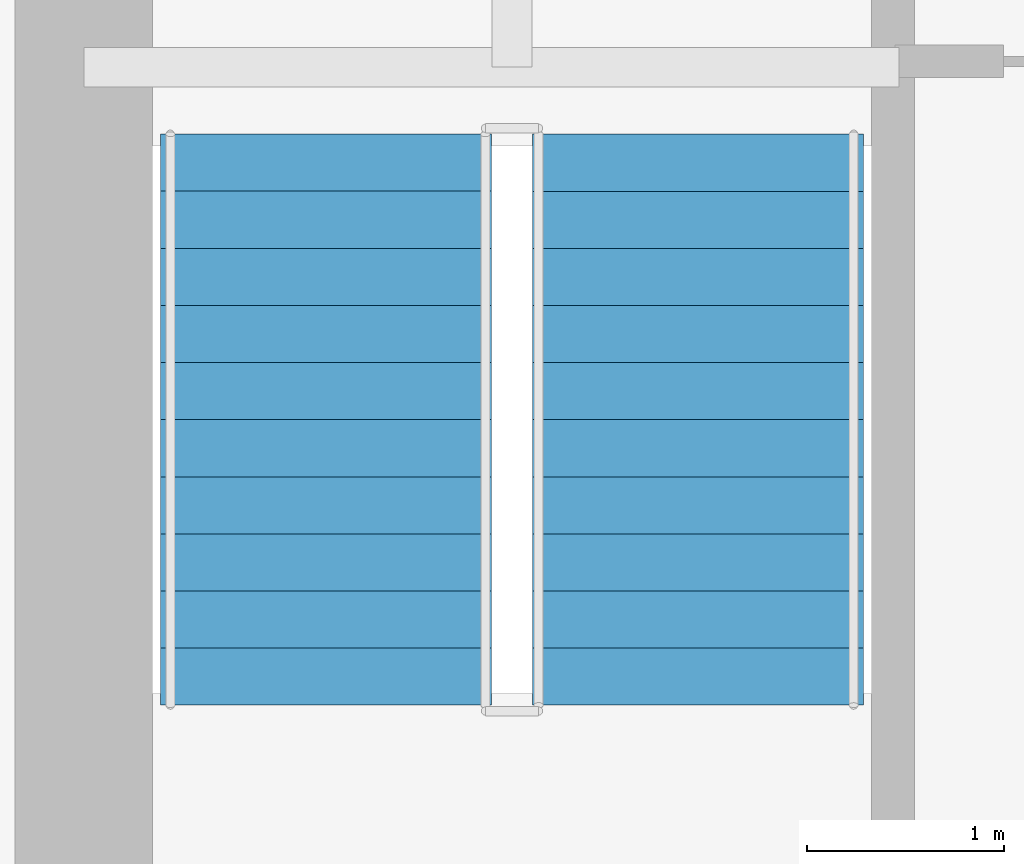
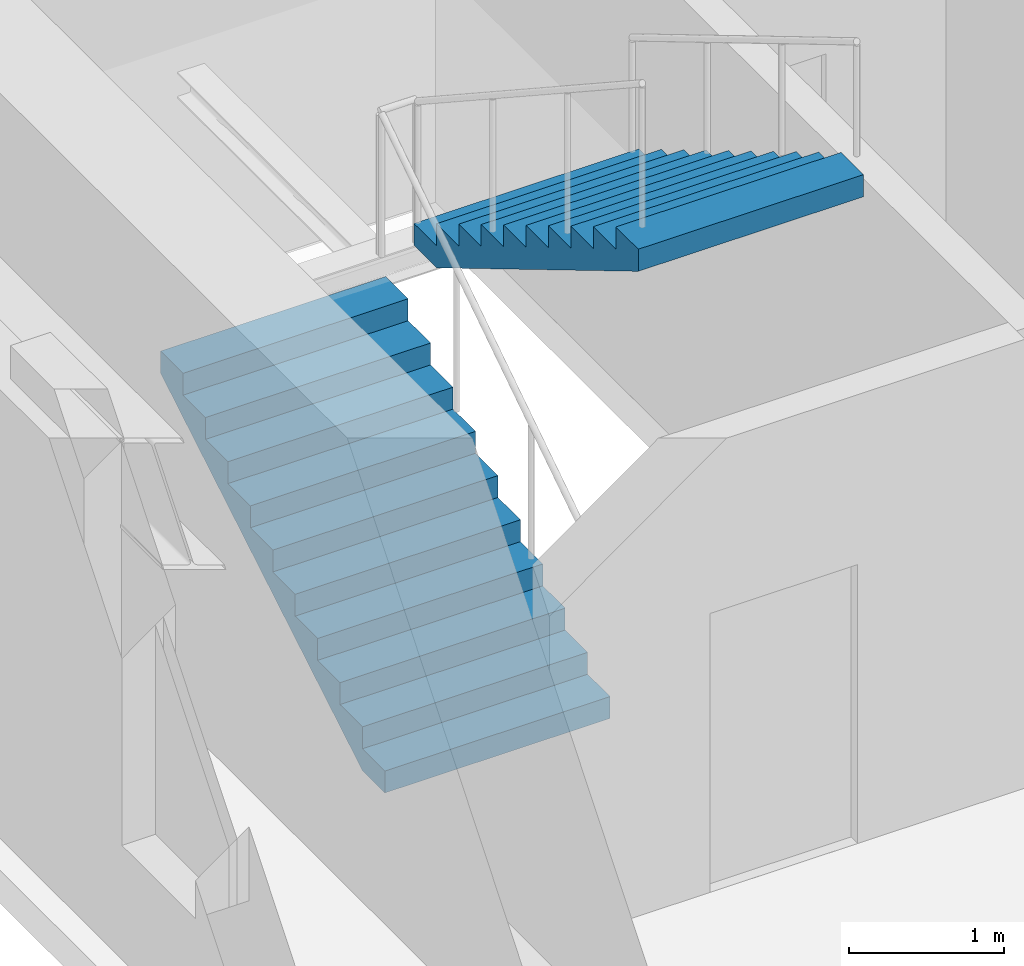
# One storey, part 8 of 16: 2 stair flights, 1 element without a shape of its own.
"""IFC4 building model written with IfcOpenShell, lengths in metres."""

import ifcopenshell
import ifcopenshell.guid

model = None  # the IFC model being written
_history = None  # IfcOwnerHistory: only IFC2X3 demands one
_inside = {}  # id of a spatial element -> (the spatial element, [elements in it])
_under = {}  # id of a project, library or spatial element -> (it, [spatial elements below it])
_declared = {}  # id of a project -> (the project, [libraries it declares])
_typed = {}  # id of a type object -> (the type object, [elements of that type])
_made_of = {}  # id of a material, layer set ... -> (it, [elements and type objects made of it])


def new_model(schema):
    """Start an empty IFC model of exactly this schema.

    Asked for "IFC4X3", IfcOpenShell would pick the latest addendum, in which some entities
    have other attributes; the version numbers below select the first issue.
    IFC2X3 requires an IfcOwnerHistory on every rooted entity: one is made here for all.
    """
    global model, _history
    if schema == "IFC4X3":
        model = ifcopenshell.file(schema_version=(4, 3, 0, 0))
    else:
        model = ifcopenshell.file(schema=schema)
    _inside.clear()
    _under.clear()
    _declared.clear()
    _typed.clear()
    _made_of.clear()
    _history = None
    if model.schema == "IFC2X3":
        org = make("IfcOrganization", Name="unknown")
        user = make(
            "IfcPersonAndOrganization",
            ThePerson=make("IfcPerson", FamilyName="unknown"),
            TheOrganization=org,
        )
        app = make(
            "IfcApplication",
            ApplicationDeveloper=org,
            Version="unknown",
            ApplicationFullName="unknown",
            ApplicationIdentifier="unknown",
        )
        _history = make(
            "IfcOwnerHistory",
            OwningUser=user,
            OwningApplication=app,
            ChangeAction="ADDED",
            CreationDate=0,
        )
    return model


def make(cls, **values):
    """One entity of the class cls with the attributes given. An attribute that is None is left unset."""
    return model.create_entity(
        cls, **{name: value for name, value in values.items() if value is not None}
    )


def rooted(cls, **values):
    """An entity with a GlobalId (a new one), such as an element, a storey or a relation."""
    return make(cls, GlobalId=ifcopenshell.guid.new(), OwnerHistory=_history, **values)


def si_unit(unit_type, name, prefix=None):
    """IfcSIUnit, for example si_unit("LENGTHUNIT", "METRE", prefix="MILLI")."""
    return make("IfcSIUnit", UnitType=unit_type, Prefix=prefix, Name=name)


def assignment(units):
    """IfcUnitAssignment: the units of a project."""
    return None if units is None else make("IfcUnitAssignment", Units=units)


def point(xyz):
    """IfcCartesianPoint."""
    return None if xyz is None else make("IfcCartesianPoint", Coordinates=xyz)


def direction(xyz):
    """IfcDirection."""
    return None if xyz is None else make("IfcDirection", DirectionRatios=xyz)


def frame(location, z_axis=None, x_axis=None):
    """IfcAxis2Placement3D, a coordinate frame: its origin and axes. An axis left out is left unset."""
    return make(
        "IfcAxis2Placement3D",
        Location=point(location),
        Axis=direction(z_axis),
        RefDirection=direction(x_axis),
    )


def origin():
    """The frame at (0, 0, 0) with its axes left unset."""
    return frame((0.0, 0.0, 0.0))


def place(relative_to, where):
    """IfcLocalPlacement: puts the frame where relative to a parent placement (None: the world)."""
    return make(
        "IfcLocalPlacement", PlacementRelTo=relative_to, RelativePlacement=where
    )


def context(
    kind, dimensions, precision=None, world=None, true_north=None, identifier=None
):
    """IfcGeometricRepresentationContext, for example the 3D "Model" context."""
    return make(
        "IfcGeometricRepresentationContext",
        ContextIdentifier=identifier,
        ContextType=kind,
        CoordinateSpaceDimension=dimensions,
        Precision=precision,
        WorldCoordinateSystem=world,
        TrueNorth=true_north,
    )


def subcontext(parent, identifier, kind, view, scale=None):
    """IfcGeometricRepresentationSubContext, for example "Body" below "Model"."""
    return make(
        "IfcGeometricRepresentationSubContext",
        ContextIdentifier=identifier,
        ContextType=kind,
        ParentContext=parent,
        TargetScale=scale,
        TargetView=view,
    )


def project(units=None, contexts=None):
    """IfcProject with its units and contexts."""
    return rooted(
        "IfcProject",
        Name="project",
        RepresentationContexts=contexts,
        UnitsInContext=assignment(units),
    )


def spatial(cls, under=None, at=None, **own):
    """A site, building, storey or space (cls), placed at a placement, below another one or the project."""
    s = rooted(cls, ObjectPlacement=at, **own)
    if under is not None:
        _under.setdefault(under.id(), (under, []))[1].append(s)
    return s


def polyline(points):
    """IfcPolyline through the points."""
    return make("IfcPolyline", Points=[point(p) for p in points])


def outline(outer, holes=None, kind="AREA"):
    """IfcArbitraryClosedProfileDef: a profile drawn as a closed curve; with holes, ...WithVoids."""
    if holes is None:
        return make("IfcArbitraryClosedProfileDef", ProfileType=kind, OuterCurve=outer)
    return make(
        "IfcArbitraryProfileDefWithVoids",
        ProfileType=kind,
        OuterCurve=outer,
        InnerCurves=holes,
    )


def extrude(swept, where, along, depth):
    """IfcExtrudedAreaSolid: the profile swept, set in the frame where, extruded along a direction by depth."""
    return make(
        "IfcExtrudedAreaSolid",
        SweptArea=swept,
        Position=where,
        ExtrudedDirection=direction(along),
        Depth=depth,
    )


def shape(context_of_items, identifier, shape_type, items):
    """IfcShapeRepresentation: the items that make up one representation, for example the "Body"."""
    return make(
        "IfcShapeRepresentation",
        ContextOfItems=context_of_items,
        RepresentationIdentifier=identifier,
        RepresentationType=shape_type,
        Items=items,
    )


def material(Name=None, Category=None):
    """IfcMaterial."""
    return make("IfcMaterial", Name=Name, Category=Category)


def made_of(thing, what):
    """Note that an element or type object is made of a material, layer set ...; save() writes the relation."""
    if what is not None:
        _made_of.setdefault(what.id(), (what, []))[1].append(thing)
    return thing


def type_object(cls, material=None, **own):
    """A type object (cls), such as IfcWallType, which elements share."""
    return made_of(rooted(cls, **own), material)


def element(
    cls,
    number,
    at=None,
    inside=None,
    cuts=None,
    type_object=None,
    material=None,
    context=None,
    identifier="Body",
    shape_type=None,
    held_by="IfcProductDefinitionShape",
    body=None,
    shapes=None,
    **own,
):
    """One element of the class cls, such as IfcWall. Its Tag is "e" and its number.

    at: its placement. inside: the storey or other place that contains it. cuts: it is an
    opening in that element (IfcRelVoidsElement). A single representation is given by context,
    identifier, shape_type and body (its items); several are given by shapes. held_by: the class
    of the entity that holds the representations. save() writes the other relations.
    """
    e = rooted(cls, Tag="e%d" % number, ObjectPlacement=at, **own)
    if body is not None:
        shapes = [shape(context, identifier, shape_type, body)]
    if shapes is not None:
        e.Representation = make(held_by, Representations=shapes)
    if inside is not None:
        _inside.setdefault(inside.id(), (inside, []))[1].append(e)
    if cuts is not None:
        rooted(
            "IfcRelVoidsElement", RelatingBuildingElement=cuts, RelatedOpeningElement=e
        )
    if type_object is not None:
        _typed.setdefault(type_object.id(), (type_object, []))[1].append(e)
    return made_of(e, material)


def aggregate(whole, parts):
    """IfcRelAggregates: a whole, such as a stair, and the parts it consists of."""
    return rooted("IfcRelAggregates", RelatingObject=whole, RelatedObjects=parts)


def save(model, path):
    """Write the relations noted so far, then the file.

    IfcRelAggregates (storeys below a building ...), IfcRelContainedInSpatialStructure (elements
    in a storey), IfcRelDefinesByType, IfcRelAssociatesMaterial and IfcRelDeclares: one each for
    every whole, place, type object, material and project.
    """
    for whole, parts in _under.values():
        aggregate(whole, parts)
    for where, things in _inside.values():
        rooted(
            "IfcRelContainedInSpatialStructure",
            RelatedElements=things,
            RelatingStructure=where,
        )
    for kind, things in _typed.values():
        rooted("IfcRelDefinesByType", RelatedObjects=things, RelatingType=kind)
    for what, things in _made_of.values():
        rooted("IfcRelAssociatesMaterial", RelatedObjects=things, RelatingMaterial=what)
    for by, libraries in _declared.values():
        rooted("IfcRelDeclares", RelatingContext=by, RelatedDefinitions=libraries)
    model.write(path)


model = new_model("IFC4")

# Units and contexts
model_context = context("Model", 3, precision=1e-05, world=origin(), true_north=direction((0.0, 1.0)))
body_context = subcontext(model_context, "Body", "Model", "MODEL_VIEW")
ifc_project = project(units=[si_unit("LENGTHUNIT", "METRE"), si_unit("AREAUNIT", "SQUARE_METRE"), si_unit("VOLUMEUNIT", "CUBIC_METRE"), si_unit("PLANEANGLEUNIT", "RADIAN"), si_unit("MASSUNIT", "GRAM", prefix="KILO")], contexts=[model_context])

# Site, building, storey
site_placement = place(None, origin())
site = spatial("IfcSite", under=ifc_project, at=site_placement, CompositionType="ELEMENT")
building_placement = place(site_placement, origin())
building = spatial("IfcBuilding", under=site, at=building_placement, Name="Norrvale University Quadrangle", CompositionType="ELEMENT")
storey_placement = place(building_placement, frame((0.0, 0.0, 167.39990234375)))
storey = spatial("IfcBuildingStorey", under=building, at=storey_placement, Name="L42", CompositionType="ELEMENT", Elevation=167.39990234375)

# Stair, stair flights
ifc_material = material(Name="Concrete C40/50", Category="concrete")
stair_type = type_object("IfcStairType", Name="Stair Tower Typ 3800", PredefinedType="TWO_STRAIGHT_RUN_STAIR", material=ifc_material)
stair_placement = place(storey_placement, origin())
stair = element("IfcStair", 1, at=stair_placement, inside=storey, type_object=stair_type, Name="Exit Stair ST-02 L42", PredefinedType="TWO_STRAIGHT_RUN_STAIR")
stair_flight_type = type_object("IfcStairFlightType", Name="Flight Typ 1500", PredefinedType="STRAIGHT", material=ifc_material)
stair_flight_1_placement = place(storey_placement, frame((3.429931640625, 42.050048828125, 0.0), z_axis=(0.0, 0.0, 1.0), x_axis=(0.0, 1.0, 0.0)))
stair_flight_1 = element("IfcStairFlight", 2, at=stair_flight_1_placement, type_object=stair_flight_type, Name="Exit Stair ST-02 L42 Lower Flight", NumberOfRisers=11, NumberOfTreads=10, PredefinedType="STRAIGHT", RiserHeight=0.172727, TreadLength=0.29, context=body_context, shape_type="SweptSolid", body=[
    extrude(outline(polyline([(0.0, 0.0), (0.0, 0.172607421875), (0.2900390625, 0.172607421875), (0.2900390625, 0.345458984375), (0.580078125, 0.345458984375), (0.580078125, 0.51806640625), (0.8701171875, 0.51806640625), (0.8701171875, 0.69091796875), (1.159912109375, 0.69091796875), (1.159912109375, 0.863525390625), (1.449951171875, 0.863525390625), (1.449951171875, 1.036376953125), (1.739990234375, 1.036376953125), (1.739990234375, 1.208984375), (2.030029296875, 1.208984375), (2.030029296875, 1.3818359375), (2.320068359375, 1.3818359375), (2.320068359375, 1.554443359375), (2.610107421875, 1.554443359375), (2.610107421875, 1.727294921875), (2.89990234375, 1.727294921875), (2.89990234375, 1.89990234375), (2.89990234375, 1.552734375), (0.29296875, 0.0), (0.0, 0.0)])), frame((0.0, 0.83984375, 0.0), z_axis=(0.0, -1.0, 0.0), x_axis=(1.0, 0.0, 0.0)), (0.0, 0.0, 1.0), 1.679931640625),
])
stair_flight_2_placement = place(storey_placement, frame((5.320068359375, 44.949951171875, 1.900146484375), z_axis=(0.0, 0.0, 1.0), x_axis=(0.0, -1.0, 0.0)))
stair_flight_2 = element("IfcStairFlight", 3, at=stair_flight_2_placement, type_object=stair_flight_type, Name="Exit Stair ST-02 L42 Upper Flight", NumberOfRisers=11, NumberOfTreads=10, PredefinedType="STRAIGHT", RiserHeight=0.172727, TreadLength=0.29, context=body_context, shape_type="SweptSolid", body=[
    extrude(outline(polyline([(0.0, 0.0), (0.0, 0.172607421875), (0.2900390625, 0.172607421875), (0.2900390625, 0.345458984375), (0.580078125, 0.345458984375), (0.580078125, 0.51806640625), (0.8701171875, 0.51806640625), (0.8701171875, 0.69091796875), (1.159912109375, 0.69091796875), (1.159912109375, 0.863525390625), (1.449951171875, 0.863525390625), (1.449951171875, 1.036376953125), (1.739990234375, 1.036376953125), (1.739990234375, 1.208984375), (2.030029296875, 1.208984375), (2.030029296875, 1.3818359375), (2.320068359375, 1.3818359375), (2.320068359375, 1.554443359375), (2.610107421875, 1.554443359375), (2.610107421875, 1.727294921875), (2.89990234375, 1.727294921875), (2.89990234375, 1.89990234375), (2.89990234375, 1.552734375), (0.29296875, 0.0), (0.0, 0.0)])), frame((0.0, 0.83984375, 0.0), z_axis=(0.0, -1.0, 0.0), x_axis=(1.0, 0.0, 0.0)), (0.0, 0.0, 1.0), 1.679931640625),
])
aggregate(stair, [stair_flight_1, stair_flight_2])

save(model, "model.ifc")
